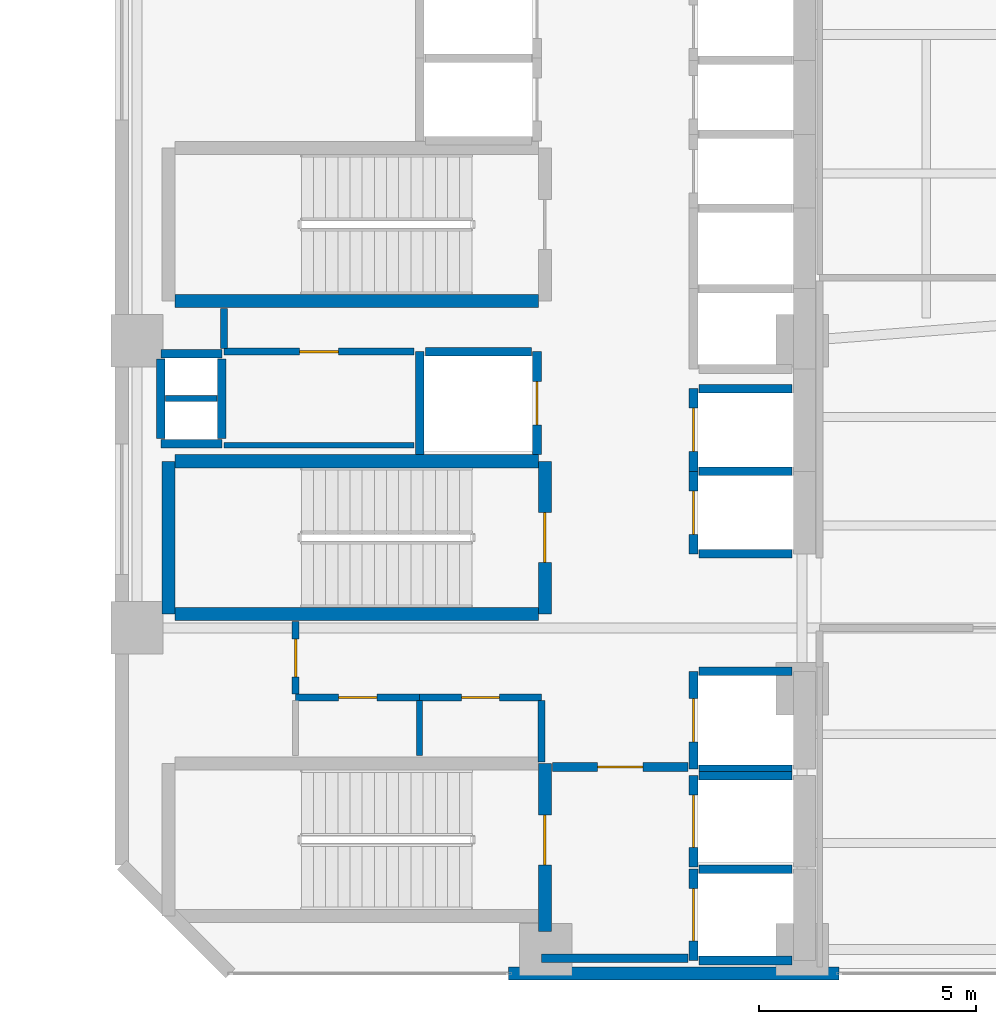
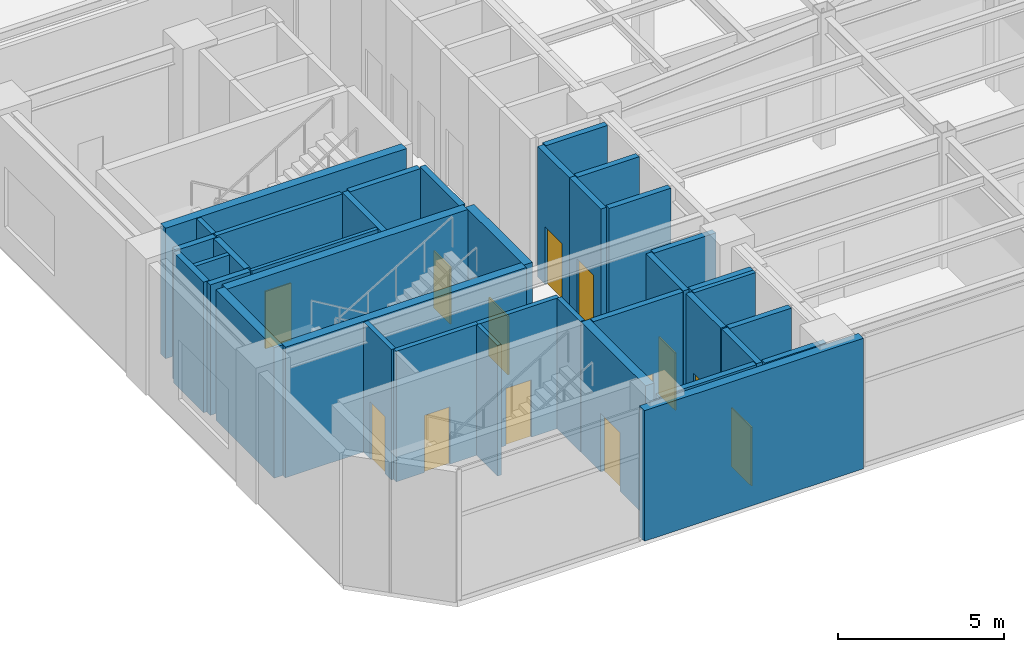
# One storey, part 16 of 23: 38 walls, 13 doors, 13 openings.
"""IFC4 building model written with IfcOpenShell, lengths in metres."""

from ifc_helpers import new_model, si_unit, direction, frame, frame_2d, origin, place, context, subcontext, project, spatial, rectangle, extrude, material, layer, layer_set, type_object, element, fill, save


model = new_model("IFC4")

# Units and contexts
model_context = context("Model", 3, precision=1e-05, world=origin(), true_north=direction((0.0, 1.0)))
body_context = subcontext(model_context, "Body", "Model", "MODEL_VIEW")
ifc_project = project(units=[si_unit("LENGTHUNIT", "METRE"), si_unit("AREAUNIT", "SQUARE_METRE"), si_unit("VOLUMEUNIT", "CUBIC_METRE"), si_unit("PLANEANGLEUNIT", "RADIAN"), si_unit("MASSUNIT", "GRAM", prefix="KILO")], contexts=[model_context])

# Site, building, storey
site_placement = place(None, origin())
site = spatial("IfcSite", under=ifc_project, at=site_placement, CompositionType="ELEMENT")
building_placement = place(site_placement, origin())
building = spatial("IfcBuilding", under=site, at=building_placement, Name="Mawjaban Terraces University", CompositionType="ELEMENT")
storey_placement = place(building_placement, frame((0.0, 0.0, 98.39990234375)))
storey = spatial("IfcBuildingStorey", under=building, at=storey_placement, Name="L23", CompositionType="ELEMENT", Elevation=98.39990234375)

# Wall, opening, door
ifc_material_1 = material(Name="Fire-rated gypsum board on steel stud", Category="steel")
ifc_layer_1 = layer(ifc_material_1, 0.159912109375)
ifc_layer_set_1 = layer_set([ifc_layer_1], Name="Fire-rated gypsum board on steel stud")
wall_type_1 = type_object("IfcWallType", Name="CorridorPartition_160", PredefinedType="PARTITIONING", material=ifc_layer_set_1)
wall_1_placement = place(storey_placement, frame((24.35009765625, 14.300048828125, 0.0), z_axis=(0.0, 0.0, 1.0), x_axis=(1.0, 0.0, 0.0)))
wall_1 = element("IfcWall", 1, at=wall_1_placement, inside=storey, type_object=wall_type_1, Name="L23 Core Riser Access Passage Partition 2", PredefinedType="PARTITIONING", context=body_context, shape_type="SweptSolid", body=[
    extrude(rectangle(XDim=4.369873046875, YDim=0.159912109375, at=frame_2d((2.18505859375, 0.0))), origin(), (0.0, 0.0, 1.0), 4.7900390625),
])
opening_1_placement = place(wall_1_placement, frame((1.735107421875, 0.0, 0.0)))
opening_1 = element("IfcOpeningElement", 2, at=opening_1_placement, cuts=wall_1, Name="Opening ID-090", PredefinedType="OPENING", context=body_context, shape_type="SweptSolid", body=[
    extrude(rectangle(XDim=0.89990234375, YDim=2.10009765625, at=frame_2d((0.449951171875, 1.050048828125))), frame((0.0, 0.08984375, 0.0), z_axis=(0.0, -1.0, 0.0), x_axis=(1.0, 0.0, 0.0)), (0.0, 0.0, 1.0), 0.179931640625),
])
ifc_material_2 = material(Name="Powder-coated steel frame and solid acoustic timber leaf", Category="steel")
door_type_1 = type_object("IfcDoorType", Name="OfficeDoor_900x2100", OperationType="NOTDEFINED", PredefinedType="DOOR", material=ifc_material_2)
door_1_placement = place(opening_1_placement, origin())
door_1 = element("IfcDoor", 3, at=door_1_placement, inside=storey, type_object=door_type_1, Name="L23 Cleaner Store Door", OperationType="SINGLE_SWING_RIGHT", OverallHeight=2.10009765625, OverallWidth=0.89990234375, PredefinedType="DOOR", context=body_context, shape_type="SweptSolid", body=[
    extrude(rectangle(XDim=0.89990234375, YDim=2.10009765625, at=frame_2d((0.449951171875, 1.050048828125))), frame((0.0, 0.02490234375, 0.0), z_axis=(0.0, -1.0, 0.0), x_axis=(1.0, 0.0, 0.0)), (0.0, 0.0, 1.0), 0.050048828125),
])
fill(opening_1, door_1)

wall_2_placement = place(storey_placement, frame((26.0, 6.35009765625, 0.0), z_axis=(0.0, 0.0, 1.0), x_axis=(1.0, 0.0, 0.0)))
wall_2 = element("IfcWall", 4, at=wall_2_placement, inside=storey, type_object=wall_type_1, Name="L23 Core Washroom Lobby Partition 3", PredefinedType="PARTITIONING", context=body_context, shape_type="SweptSolid", body=[
    extrude(rectangle(XDim=2.85009765625, YDim=0.159912109375, at=frame_2d((1.425048828125, 0.0))), origin(), (0.0, 0.0, 1.0), 4.7900390625),
])
opening_2_placement = place(wall_2_placement, frame((0.985107421875, 0.0, 0.0)))
opening_2 = element("IfcOpeningElement", 5, at=opening_2_placement, cuts=wall_2, Name="Opening ID-088", PredefinedType="OPENING", context=body_context, shape_type="SweptSolid", body=[
    extrude(rectangle(XDim=0.8798828125, YDim=2.10009765625, at=frame_2d((0.43994140625, 1.050048828125))), frame((0.0, 0.08984375, 0.0), z_axis=(0.0, -1.0, 0.0), x_axis=(1.0, 0.0, 0.0)), (0.0, 0.0, 1.0), 0.179931640625),
])
door_type_2 = type_object("IfcDoorType", Name="ToiletDoor_880x2100", OperationType="NOTDEFINED", PredefinedType="DOOR", material=ifc_material_2)
door_2_placement = place(opening_2_placement, origin())
door_2 = element("IfcDoor", 6, at=door_2_placement, inside=storey, type_object=door_type_2, Name="L23 Male Toilet Door", OperationType="SINGLE_SWING_RIGHT", OverallHeight=2.10009765625, OverallWidth=0.8798828125, PredefinedType="DOOR", context=body_context, shape_type="SweptSolid", body=[
    extrude(rectangle(XDim=0.8798828125, YDim=2.10009765625, at=frame_2d((0.43994140625, 1.050048828125))), frame((0.0, 0.02490234375, 0.0), z_axis=(0.0, -1.0, 0.0), x_axis=(1.0, 0.0, 0.0)), (0.0, 0.0, 1.0), 0.050048828125),
])
fill(opening_2, door_2)

wall_3_placement = place(storey_placement, frame((28.85009765625, 6.35009765625, 0.0), z_axis=(0.0, 0.0, 1.0), x_axis=(1.0, 0.0, 0.0)))
wall_3 = element("IfcWall", 7, at=wall_3_placement, inside=storey, type_object=wall_type_1, Name="L23 Core Washroom Lobby Partition 6", PredefinedType="PARTITIONING", context=body_context, shape_type="SweptSolid", body=[
    extrude(rectangle(XDim=2.7998046875, YDim=0.159912109375, at=frame_2d((1.39990234375, 0.0))), origin(), (0.0, 0.0, 1.0), 4.7900390625),
])
opening_3_placement = place(wall_3_placement, frame((0.9599609375, 0.0, 0.0)))
opening_3 = element("IfcOpeningElement", 8, at=opening_3_placement, cuts=wall_3, Name="Opening ID-088", PredefinedType="OPENING", context=body_context, shape_type="SweptSolid", body=[
    extrude(rectangle(XDim=0.8798828125, YDim=2.10009765625, at=frame_2d((0.43994140625, 1.050048828125))), frame((0.0, 0.08984375, 0.0), z_axis=(0.0, -1.0, 0.0), x_axis=(1.0, 0.0, 0.0)), (0.0, 0.0, 1.0), 0.179931640625),
])
door_3_placement = place(opening_3_placement, origin())
door_3 = element("IfcDoor", 9, at=door_3_placement, inside=storey, type_object=door_type_2, Name="L23 Accessible Toilet Door", OperationType="SINGLE_SWING_LEFT", OverallHeight=2.10009765625, OverallWidth=0.8798828125, PredefinedType="DOOR", context=body_context, shape_type="SweptSolid", body=[
    extrude(rectangle(XDim=0.8798828125, YDim=2.10009765625, at=frame_2d((0.43994140625, 1.050048828125))), frame((0.0, 0.02490234375, 0.0), z_axis=(0.0, -1.0, 0.0), x_axis=(1.0, 0.0, 0.0)), (0.0, 0.0, 1.0), 0.050048828125),
])
fill(opening_3, door_3)

# Wall
wall_4_placement = place(storey_placement, frame((24.35009765625, 15.2900390625, 0.0), z_axis=(0.0, 0.0, 1.0), x_axis=(0.0, -1.0, 0.0)))
element("IfcWall", 10, at=wall_4_placement, inside=storey, type_object=wall_type_1, Name="L23 Core Riser Access Passage Partition 16", PredefinedType="PARTITIONING", context=body_context, shape_type="SweptSolid", body=[
    extrude(rectangle(XDim=0.9150390625, YDim=0.159912109375, at=frame_2d((0.45751953125, 0.0))), origin(), (0.0, 0.0, 1.0), 4.7900390625),
])

# Wall, opening, door
wall_5_placement = place(storey_placement, frame((26.0, 8.090087890625, 0.0), z_axis=(0.0, 0.0, 1.0), x_axis=(0.0, -1.0, 0.0)))
wall_5 = element("IfcWall", 11, at=wall_5_placement, inside=storey, type_object=wall_type_1, Name="L23 Core Washroom Lobby Partition 18", PredefinedType="PARTITIONING", context=body_context, shape_type="SweptSolid", body=[
    extrude(rectangle(XDim=1.6650390625, YDim=0.159912109375, at=frame_2d((0.83251953125, 0.0))), origin(), (0.0, 0.0, 1.0), 4.7900390625),
])
opening_4_placement = place(wall_5_placement, frame((0.39306640625, 0.0, 0.0)))
opening_4 = element("IfcOpeningElement", 12, at=opening_4_placement, cuts=wall_5, Name="Opening ID-088", PredefinedType="OPENING", context=body_context, shape_type="SweptSolid", body=[
    extrude(rectangle(XDim=0.8798828125, YDim=2.10009765625, at=frame_2d((0.43994140625, 1.050048828125))), frame((0.0, 0.08984375, 0.0), z_axis=(0.0, -1.0, 0.0), x_axis=(1.0, 0.0, 0.0)), (0.0, 0.0, 1.0), 0.179931640625),
])
door_4_placement = place(opening_4_placement, origin())
door_4 = element("IfcDoor", 13, at=door_4_placement, inside=storey, type_object=door_type_2, Name="L23 Ablution Room Door", OperationType="SINGLE_SWING_LEFT", OverallHeight=2.10009765625, OverallWidth=0.8798828125, PredefinedType="DOOR", context=body_context, shape_type="SweptSolid", body=[
    extrude(rectangle(XDim=0.8798828125, YDim=2.10009765625, at=frame_2d((0.43994140625, 1.050048828125))), frame((0.0, 0.02490234375, 0.0), z_axis=(0.0, -1.0, 0.0), x_axis=(1.0, 0.0, 0.0)), (0.0, 0.0, 1.0), 0.050048828125),
])
fill(opening_4, door_4)

# Walls
wall_6_placement = place(storey_placement, frame((31.64990234375, 4.860107421875, 0.0), z_axis=(0.0, 0.0, 1.0), x_axis=(0.0, 1.0, 0.0)))
element("IfcWall", 14, at=wall_6_placement, inside=storey, type_object=wall_type_1, Name="L23 Accessible Toilet Partition 21", PredefinedType="PARTITIONING", context=body_context, shape_type="SweptSolid", body=[
    extrude(rectangle(XDim=1.414794921875, YDim=0.159912109375, at=frame_2d((0.70751953125, 0.0))), origin(), (0.0, 0.0, 1.0), 4.7900390625),
])
ifc_material_3 = material(Name="Insulated terracotta rainscreen on concrete backup C40/50", Category="masonry")
ifc_layer_2 = layer(ifc_material_3, 0.300048828125)
ifc_layer_set_2 = layer_set([ifc_layer_2], Name="Insulated terracotta rainscreen on concrete backup C40/50")
wall_type_2 = type_object("IfcWallType", Name="ExtTerracottaWall_300", PredefinedType="SOLIDWALL", material=ifc_layer_set_2)
wall_7_placement = place(storey_placement, frame((30.89990234375, 0.0, 0.0), z_axis=(0.0, 0.0, 1.0), x_axis=(1.0, 0.0, 0.0)))
element("IfcWall", 15, at=wall_7_placement, inside=storey, type_object=wall_type_2, Name="L23 Exterior Terracotta Pier Wall 1.1", PredefinedType="SOLIDWALL", context=body_context, shape_type="SweptSolid", body=[
    extrude(rectangle(XDim=7.60009765625, YDim=0.300048828125, at=frame_2d((3.800048828125, 0.0))), origin(), (0.0, 0.0, 1.0), 4.7900390625),
])

# Wall, opening, door
ifc_material_4 = material(Name="Concrete C40/50", Category="concrete")
ifc_layer_3 = layer(ifc_material_4, 0.199951171875)
ifc_layer_set_3 = layer_set([ifc_layer_3], Name="Concrete C40/50")
wall_type_3 = type_object("IfcWallType", Name="FireLobbyWall_200", PredefinedType="SOLIDWALL", material=ifc_layer_set_3)
wall_8_placement = place(storey_placement, frame((35.14990234375, 2.39990234375, 0.0), z_axis=(0.0, 0.0, 1.0), x_axis=(0.0, -1.0, 0.0)))
wall_8 = element("IfcWall", 16, at=wall_8_placement, inside=storey, type_object=wall_type_3, Name="L23 Lift FL-1 Hoistway Wall West", PredefinedType="SOLIDWALL", context=body_context, shape_type="SweptSolid", body=[
    extrude(rectangle(XDim=2.099853515625, YDim=0.199951171875, at=frame_2d((1.0498046875, 0.0))), origin(), (0.0, 0.0, 1.0), 4.7900390625),
])
opening_5_placement = place(wall_8_placement, frame((0.449951171875, 0.0, 0.0)))
opening_5 = element("IfcOpeningElement", 17, at=opening_5_placement, cuts=wall_8, Name="Opening LD-FL-1", PredefinedType="OPENING", context=body_context, shape_type="SweptSolid", body=[
    extrude(rectangle(XDim=1.199951171875, YDim=2.14990234375, at=frame_2d((0.60009765625, 1.074951171875))), frame((0.0, 0.10986328125, 0.0), z_axis=(0.0, -1.0, 0.0), x_axis=(1.0, 0.0, 0.0)), (0.0, 0.0, 1.0), 0.219970703125),
])
ifc_material_5 = material(Name="Powder-coated steel frame and fire-rated steel-faced leaf", Category="steel")
door_type_3 = type_object("IfcDoorType", Name="LiftLandingFSAE_1200x2150", OperationType="NOTDEFINED", PredefinedType="DOOR", material=ifc_material_5)
door_5_placement = place(opening_5_placement, origin())
door_5 = element("IfcDoor", 18, at=door_5_placement, inside=storey, type_object=door_type_3, Name="L23 Lift FL-1 Sliding Landing Door", OperationType="DOUBLE_DOOR_SLIDING", OverallHeight=2.14990234375, OverallWidth=1.199951171875, PredefinedType="DOOR", context=body_context, shape_type="SweptSolid", body=[
    extrude(rectangle(XDim=1.199951171875, YDim=2.14990234375, at=frame_2d((0.60009765625, 1.074951171875))), frame((0.0, 0.02490234375, 0.0), z_axis=(0.0, -1.0, 0.0), x_axis=(1.0, 0.0, 0.0)), (0.0, 0.0, 1.0), 0.050048828125),
])
fill(opening_5, door_5)

# Walls
for number, where, z_axis, x_axis, name in (
    (19, (35.280029296875, 0.300048828125, 0.0), (0.0, 0.0, 1.0), (1.0, 0.0, 0.0), "L23 Lift FL-1 Hoistway Wall South"),
    (20, (37.419921875, 2.39990234375, 0.0), (0.0, 0.0, 1.0), (-1.0, 0.0, 0.0), "L23 Lift FL-1 Hoistway Wall North"),
):
    element("IfcWall", number, at=place(storey_placement, frame(where, z_axis=z_axis, x_axis=x_axis)), inside=storey, type_object=wall_type_3, Name=name, PredefinedType="SOLIDWALL", context=body_context, shape_type="SweptSolid", body=[
        extrude(rectangle(XDim=2.139892578125, YDim=0.199951171875, at=frame_2d((1.06982421875, 0.0))), origin(), (0.0, 0.0, 1.0), 4.7900390625),
    ])

# Wall, opening, door
wall_9_placement = place(storey_placement, frame((35.14990234375, 4.550048828125, 0.0), z_axis=(0.0, 0.0, 1.0), x_axis=(0.0, -1.0, 0.0)))
wall_9 = element("IfcWall", 21, at=wall_9_placement, inside=storey, type_object=wall_type_3, Name="L23 Lift FL-2 Hoistway Wall West", PredefinedType="SOLIDWALL", context=body_context, shape_type="SweptSolid", body=[
    extrude(rectangle(XDim=2.10009765625, YDim=0.199951171875, at=frame_2d((1.050048828125, 0.0))), origin(), (0.0, 0.0, 1.0), 4.7900390625),
])
opening_6_placement = place(wall_9_placement, frame((0.449951171875, 0.0, 0.0)))
opening_6 = element("IfcOpeningElement", 22, at=opening_6_placement, cuts=wall_9, Name="Opening LD-FL-2", PredefinedType="OPENING", context=body_context, shape_type="SweptSolid", body=[
    extrude(rectangle(XDim=1.199951171875, YDim=2.14990234375, at=frame_2d((0.60009765625, 1.074951171875))), frame((0.0, 0.10986328125, 0.0), z_axis=(0.0, -1.0, 0.0), x_axis=(1.0, 0.0, 0.0)), (0.0, 0.0, 1.0), 0.219970703125),
])
door_6_placement = place(opening_6_placement, origin())
door_6 = element("IfcDoor", 23, at=door_6_placement, inside=storey, type_object=door_type_3, Name="L23 Lift FL-2 Sliding Landing Door", OperationType="DOUBLE_DOOR_SLIDING", OverallHeight=2.14990234375, OverallWidth=1.199951171875, PredefinedType="DOOR", context=body_context, shape_type="SweptSolid", body=[
    extrude(rectangle(XDim=1.199951171875, YDim=2.14990234375, at=frame_2d((0.60009765625, 1.074951171875))), frame((0.0, 0.02490234375, 0.0), z_axis=(0.0, -1.0, 0.0), x_axis=(1.0, 0.0, 0.0)), (0.0, 0.0, 1.0), 0.050048828125),
])
fill(opening_6, door_6)

# Wall
wall_10_placement = place(storey_placement, frame((37.419921875, 4.550048828125, 0.0), z_axis=(0.0, 0.0, 1.0), x_axis=(-1.0, 0.0, 0.0)))
element("IfcWall", 24, at=wall_10_placement, inside=storey, type_object=wall_type_3, Name="L23 Lift FL-2 Hoistway Wall North", PredefinedType="SOLIDWALL", context=body_context, shape_type="SweptSolid", body=[
    extrude(rectangle(XDim=2.139892578125, YDim=0.199951171875, at=frame_2d((1.06982421875, 0.0))), origin(), (0.0, 0.0, 1.0), 4.7900390625),
])

# Wall, opening, door
wall_11_placement = place(storey_placement, frame((35.14990234375, 6.949951171875, 0.0), z_axis=(0.0, 0.0, 1.0), x_axis=(0.0, -1.0, 0.0)))
wall_11 = element("IfcWall", 25, at=wall_11_placement, inside=storey, type_object=wall_type_3, Name="L23 Lift SL-1 Hoistway Wall West", PredefinedType="SOLIDWALL", context=body_context, shape_type="SweptSolid", body=[
    extrude(rectangle(XDim=2.25, YDim=0.199951171875, at=frame_2d((1.125, 0.0))), origin(), (0.0, 0.0, 1.0), 4.7900390625),
])
opening_7_placement = place(wall_11_placement, frame((0.625, 0.0, 0.0)))
opening_7 = element("IfcOpeningElement", 26, at=opening_7_placement, cuts=wall_11, Name="Opening LD-SL-1", PredefinedType="OPENING", context=body_context, shape_type="SweptSolid", body=[
    extrude(rectangle(XDim=1.0, YDim=2.10009765625, at=frame_2d((0.5, 1.050048828125))), frame((0.0, 0.10986328125, 0.0), z_axis=(0.0, -1.0, 0.0), x_axis=(1.0, 0.0, 0.0)), (0.0, 0.0, 1.0), 0.219970703125),
])
door_type_4 = type_object("IfcDoorType", Name="LiftLandingSliding_1000x2100", OperationType="NOTDEFINED", PredefinedType="DOOR", material=ifc_material_5)
door_7_placement = place(opening_7_placement, origin())
door_7 = element("IfcDoor", 27, at=door_7_placement, inside=storey, type_object=door_type_4, Name="L23 Lift SL-1 Sliding Landing Door", OperationType="DOUBLE_DOOR_SLIDING", OverallHeight=2.10009765625, OverallWidth=1.0, PredefinedType="DOOR", context=body_context, shape_type="SweptSolid", body=[
    extrude(rectangle(XDim=1.0, YDim=2.10009765625, at=frame_2d((0.5, 1.050048828125))), frame((0.0, 0.02490234375, 0.0), z_axis=(0.0, -1.0, 0.0), x_axis=(1.0, 0.0, 0.0)), (0.0, 0.0, 1.0), 0.050048828125),
])
fill(opening_7, door_7)

# Walls
for number, where, z_axis, x_axis, name in (
    (28, (35.280029296875, 4.699951171875, 0.0), (0.0, 0.0, 1.0), (1.0, 0.0, 0.0), "L23 Lift SL-1 Hoistway Wall South"),
    (29, (37.419921875, 6.949951171875, 0.0), (0.0, 0.0, 1.0), (-1.0, 0.0, 0.0), "L23 Lift SL-1 Hoistway Wall North"),
):
    element("IfcWall", number, at=place(storey_placement, frame(where, z_axis=z_axis, x_axis=x_axis)), inside=storey, type_object=wall_type_3, Name=name, PredefinedType="SOLIDWALL", context=body_context, shape_type="SweptSolid", body=[
        extrude(rectangle(XDim=2.139892578125, YDim=0.199951171875, at=frame_2d((1.06982421875, 0.0))), origin(), (0.0, 0.0, 1.0), 4.7900390625),
    ])

# Wall, opening, door
wall_12_placement = place(storey_placement, frame((35.14990234375, 11.550048828125, 0.0), z_axis=(0.0, 0.0, 1.0), x_axis=(0.0, -1.0, 0.0)))
wall_12 = element("IfcWall", 30, at=wall_12_placement, inside=storey, type_object=wall_type_3, Name="L23 Lift PL-H1 Hoistway Wall West", PredefinedType="SOLIDWALL", context=body_context, shape_type="SweptSolid", body=[
    extrude(rectangle(XDim=1.900146484375, YDim=0.199951171875, at=frame_2d((0.9501953125, 0.0))), origin(), (0.0, 0.0, 1.0), 4.7900390625),
])
opening_8_placement = place(wall_12_placement, frame((0.449951171875, 0.0, 0.0)))
opening_8 = element("IfcOpeningElement", 31, at=opening_8_placement, cuts=wall_12, Name="Opening LD-PL-H1", PredefinedType="OPENING", context=body_context, shape_type="SweptSolid", body=[
    extrude(rectangle(XDim=1.0, YDim=2.10009765625, at=frame_2d((0.5, 1.050048828125))), frame((0.0, 0.10986328125, 0.0), z_axis=(0.0, -1.0, 0.0), x_axis=(1.0, 0.0, 0.0)), (0.0, 0.0, 1.0), 0.219970703125),
])
door_8_placement = place(opening_8_placement, origin())
door_8 = element("IfcDoor", 32, at=door_8_placement, inside=storey, type_object=door_type_4, Name="L23 Lift PL-H1 Sliding Landing Door", OperationType="DOUBLE_DOOR_SLIDING", OverallHeight=2.10009765625, OverallWidth=1.0, PredefinedType="DOOR", context=body_context, shape_type="SweptSolid", body=[
    extrude(rectangle(XDim=1.0, YDim=2.10009765625, at=frame_2d((0.5, 1.050048828125))), frame((0.0, 0.02490234375, 0.0), z_axis=(0.0, -1.0, 0.0), x_axis=(1.0, 0.0, 0.0)), (0.0, 0.0, 1.0), 0.050048828125),
])
fill(opening_8, door_8)

# Walls
for number, where, z_axis, x_axis, name in (
    (33, (35.280029296875, 9.64990234375, 0.0), (0.0, 0.0, 1.0), (1.0, 0.0, 0.0), "L23 Lift PL-H1 Hoistway Wall South"),
    (34, (37.419921875, 11.550048828125, 0.0), (0.0, 0.0, 1.0), (-1.0, 0.0, 0.0), "L23 Lift PL-H1 Hoistway Wall North"),
):
    element("IfcWall", number, at=place(storey_placement, frame(where, z_axis=z_axis, x_axis=x_axis)), inside=storey, type_object=wall_type_3, Name=name, PredefinedType="SOLIDWALL", context=body_context, shape_type="SweptSolid", body=[
        extrude(rectangle(XDim=2.139892578125, YDim=0.199951171875, at=frame_2d((1.06982421875, 0.0))), origin(), (0.0, 0.0, 1.0), 4.7900390625),
    ])

# Wall, opening, door
wall_13_placement = place(storey_placement, frame((35.14990234375, 13.449951171875, 0.0), z_axis=(0.0, 0.0, 1.0), x_axis=(0.0, -1.0, 0.0)))
wall_13 = element("IfcWall", 35, at=wall_13_placement, inside=storey, type_object=wall_type_3, Name="L23 Lift PL-H2 Hoistway Wall West", PredefinedType="SOLIDWALL", context=body_context, shape_type="SweptSolid", body=[
    extrude(rectangle(XDim=1.89990234375, YDim=0.199951171875, at=frame_2d((0.949951171875, 0.0))), origin(), (0.0, 0.0, 1.0), 4.7900390625),
])
opening_9_placement = place(wall_13_placement, frame((0.449951171875, 0.0, 0.0)))
opening_9 = element("IfcOpeningElement", 36, at=opening_9_placement, cuts=wall_13, Name="Opening LD-PL-H2", PredefinedType="OPENING", context=body_context, shape_type="SweptSolid", body=[
    extrude(rectangle(XDim=1.0, YDim=2.10009765625, at=frame_2d((0.5, 1.050048828125))), frame((0.0, 0.10986328125, 0.0), z_axis=(0.0, -1.0, 0.0), x_axis=(1.0, 0.0, 0.0)), (0.0, 0.0, 1.0), 0.219970703125),
])
door_9_placement = place(opening_9_placement, origin())
door_9 = element("IfcDoor", 37, at=door_9_placement, inside=storey, type_object=door_type_4, Name="L23 Lift PL-H2 Sliding Landing Door", OperationType="DOUBLE_DOOR_SLIDING", OverallHeight=2.10009765625, OverallWidth=1.0, PredefinedType="DOOR", context=body_context, shape_type="SweptSolid", body=[
    extrude(rectangle(XDim=1.0, YDim=2.10009765625, at=frame_2d((0.5, 1.050048828125))), frame((0.0, 0.02490234375, 0.0), z_axis=(0.0, -1.0, 0.0), x_axis=(1.0, 0.0, 0.0)), (0.0, 0.0, 1.0), 0.050048828125),
])
fill(opening_9, door_9)

# Walls
wall_14_placement = place(storey_placement, frame((37.419921875, 13.449951171875, 0.0), z_axis=(0.0, 0.0, 1.0), x_axis=(-1.0, 0.0, 0.0)))
element("IfcWall", 38, at=wall_14_placement, inside=storey, type_object=wall_type_3, Name="L23 Lift PL-H2 Hoistway Wall North", PredefinedType="SOLIDWALL", context=body_context, shape_type="SweptSolid", body=[
    extrude(rectangle(XDim=2.139892578125, YDim=0.199951171875, at=frame_2d((1.06982421875, 0.0))), origin(), (0.0, 0.0, 1.0), 4.7900390625),
])
wall_15_placement = place(storey_placement, frame((28.85009765625, 14.300048828125, 0.0), z_axis=(0.0, 0.0, 1.0), x_axis=(0.0, -1.0, 0.0)))
element("IfcWall", 39, at=wall_15_placement, inside=storey, type_object=wall_type_3, Name="L23 Lift PL-H3 Hoistway Wall West", PredefinedType="SOLIDWALL", context=body_context, shape_type="SweptSolid", body=[
    extrude(rectangle(XDim=2.3701171875, YDim=0.199951171875, at=frame_2d((1.18505859375, 0.0))), origin(), (0.0, 0.0, 1.0), 4.7900390625),
])

# Wall, opening, door
wall_16_placement = place(storey_placement, frame((31.550048828125, 11.929931640625, 0.0), z_axis=(0.0, 0.0, 1.0), x_axis=(0.0, 1.0, 0.0)))
wall_16 = element("IfcWall", 40, at=wall_16_placement, inside=storey, type_object=wall_type_3, Name="L23 Lift PL-H3 Hoistway Wall East", PredefinedType="SOLIDWALL", context=body_context, shape_type="SweptSolid", body=[
    extrude(rectangle(XDim=2.3701171875, YDim=0.199951171875, at=frame_2d((1.18505859375, 0.0))), origin(), (0.0, 0.0, 1.0), 4.7900390625),
])
opening_10_placement = place(wall_16_placement, frame((0.68505859375, 0.0, 0.0)))
opening_10 = element("IfcOpeningElement", 41, at=opening_10_placement, cuts=wall_16, Name="Opening LD-PL-H3", PredefinedType="OPENING", context=body_context, shape_type="SweptSolid", body=[
    extrude(rectangle(XDim=1.0, YDim=2.10009765625, at=frame_2d((0.5, 1.050048828125))), frame((0.0, 0.10986328125, 0.0), z_axis=(0.0, -1.0, 0.0), x_axis=(1.0, 0.0, 0.0)), (0.0, 0.0, 1.0), 0.219970703125),
])
door_10_placement = place(opening_10_placement, origin())
door_10 = element("IfcDoor", 42, at=door_10_placement, inside=storey, type_object=door_type_4, Name="L23 Lift PL-H3 Sliding Landing Door", OperationType="DOUBLE_DOOR_SLIDING", OverallHeight=2.10009765625, OverallWidth=1.0, PredefinedType="DOOR", context=body_context, shape_type="SweptSolid", body=[
    extrude(rectangle(XDim=1.0, YDim=2.10009765625, at=frame_2d((0.5, 1.050048828125))), frame((0.0, 0.02490234375, 0.0), z_axis=(0.0, -1.0, 0.0), x_axis=(1.0, 0.0, 0.0)), (0.0, 0.0, 1.0), 0.050048828125),
])
fill(opening_10, door_10)

# Walls
wall_17_placement = place(storey_placement, frame((31.419921875, 14.300048828125, 0.0), z_axis=(0.0, 0.0, 1.0), x_axis=(-1.0, 0.0, 0.0)))
element("IfcWall", 43, at=wall_17_placement, inside=storey, type_object=wall_type_3, Name="L23 Lift PL-H3 Hoistway Wall North", PredefinedType="SOLIDWALL", context=body_context, shape_type="SweptSolid", body=[
    extrude(rectangle(XDim=2.43994140625, YDim=0.199951171875, at=frame_2d((1.219970703125, 0.0))), origin(), (0.0, 0.0, 1.0), 4.7900390625),
])
for number, where, z_axis, x_axis, name in (
    (44, (22.89990234375, 14.25, 0.0), (0.0, 0.0, 1.0), (1.0, 0.0, 0.0), "L23 MEP Riser Shaft Wall N"),
    (45, (22.89990234375, 12.179931640625, 0.0), (0.0, 0.0, 1.0), (1.0, 0.0, 0.0), "L23 MEP Riser Shaft Wall S"),
):
    element("IfcWall", number, at=place(storey_placement, frame(where, z_axis=z_axis, x_axis=x_axis)), inside=storey, type_object=wall_type_3, Name=name, PredefinedType="SOLIDWALL", context=body_context, shape_type="SweptSolid", body=[
        extrude(rectangle(XDim=1.400146484375, YDim=0.199951171875, at=frame_2d((0.7001953125, 0.0))), origin(), (0.0, 0.0, 1.0), 4.7900390625),
    ])
for number, where, z_axis, x_axis, name in (
    (46, (24.300048828125, 12.300048828125, 0.0), (0.0, 0.0, 1.0), (0.0, 1.0, 0.0), "L23 MEP Riser Shaft Wall E"),
    (47, (22.89990234375, 12.300048828125, 0.0), (0.0, 0.0, 1.0), (0.0, 1.0, 0.0), "L23 MEP Riser Shaft Wall W"),
):
    element("IfcWall", number, at=place(storey_placement, frame(where, z_axis=z_axis, x_axis=x_axis)), inside=storey, type_object=wall_type_3, Name=name, PredefinedType="SOLIDWALL", context=body_context, shape_type="SweptSolid", body=[
        extrude(rectangle(XDim=1.829833984375, YDim=0.199951171875, at=frame_2d((0.9150390625, 0.0))), origin(), (0.0, 0.0, 1.0), 4.7900390625),
    ])
wall_18_placement = place(storey_placement, frame((31.64990234375, 0.35009765625, 0.0), z_axis=(0.0, 0.0, 1.0), x_axis=(1.0, 0.0, 0.0)))
element("IfcWall", 48, at=wall_18_placement, inside=storey, type_object=wall_type_3, Name="L23 Firefighting Lift Lobby Partition 7", PredefinedType="SOLIDWALL", context=body_context, shape_type="SweptSolid", body=[
    extrude(rectangle(XDim=3.3701171875, YDim=0.199951171875, at=frame_2d((1.68505859375, 0.0))), origin(), (0.0, 0.0, 1.0), 4.7900390625),
])

# Wall, opening, door
wall_19_placement = place(storey_placement, frame((35.02001953125, 4.75, 0.0), z_axis=(0.0, 0.0, 1.0), x_axis=(-1.0, 0.0, 0.0)))
wall_19 = element("IfcWall", 49, at=wall_19_placement, inside=storey, type_object=wall_type_3, Name="L23 Firefighting Lift Lobby Partition 10", PredefinedType="SOLIDWALL", context=body_context, shape_type="SweptSolid", body=[
    extrude(rectangle(XDim=3.110107421875, YDim=0.199951171875, at=frame_2d((1.55517578125, 0.0))), origin(), (0.0, 0.0, 1.0), 4.7900390625),
])
opening_11_placement = place(wall_19_placement, frame((1.030029296875, 0.0, 0.0)))
opening_11 = element("IfcOpeningElement", 50, at=opening_11_placement, cuts=wall_19, Name="Opening FD-105", PredefinedType="OPENING", context=body_context, shape_type="SweptSolid", body=[
    extrude(rectangle(XDim=1.050048828125, YDim=2.14990234375, at=frame_2d((0.52490234375, 1.074951171875))), frame((0.0, 0.10986328125, 0.0), z_axis=(0.0, -1.0, 0.0), x_axis=(1.0, 0.0, 0.0)), (0.0, 0.0, 1.0), 0.219970703125),
])
door_type_5 = type_object("IfcDoorType", Name="FireLobbyDoor_1050x2150", OperationType="NOTDEFINED", PredefinedType="DOOR", material=ifc_material_5)
door_11_placement = place(opening_11_placement, origin())
door_11 = element("IfcDoor", 51, at=door_11_placement, inside=storey, type_object=door_type_5, Name="L23 Firefighting Lift Lobby Door", OperationType="SINGLE_SWING_RIGHT", OverallHeight=2.14990234375, OverallWidth=1.050048828125, PredefinedType="DOOR", context=body_context, shape_type="SweptSolid", body=[
    extrude(rectangle(XDim=1.050048828125, YDim=2.14990234375, at=frame_2d((0.52490234375, 1.074951171875))), frame((0.0, 0.02490234375, 0.0), z_axis=(0.0, -1.0, 0.0), x_axis=(1.0, 0.0, 0.0)), (0.0, 0.0, 1.0), 0.050048828125),
])
fill(opening_11, door_11)

# Walls
ifc_material_6 = material(Name="Moisture-resistant gypsum board on steel stud", Category="steel")
ifc_layer_4 = layer(ifc_material_6, 0.14501953125)
ifc_layer_set_4 = layer_set([ifc_layer_4], Name="Moisture-resistant gypsum board on steel stud")
wall_type_4 = type_object("IfcWallType", Name="LabPartition_145", PredefinedType="PARTITIONING", material=ifc_layer_set_4)
wall_20_placement = place(storey_placement, frame((23.010009765625, 13.22509765625, 0.0), z_axis=(0.0, 0.0, 1.0), x_axis=(1.0, 0.0, 0.0)))
element("IfcWall", 52, at=wall_20_placement, inside=storey, type_object=wall_type_4, Name="L23 MEP Riser Shaft Wall M", PredefinedType="PARTITIONING", context=body_context, shape_type="SweptSolid", body=[
    extrude(rectangle(XDim=1.179931640625, YDim=0.14501953125, at=frame_2d((0.58984375, 0.0))), origin(), (0.0, 0.0, 1.0), 4.7900390625),
])
ifc_material_7 = material(Name="Gypsum plasterboard on steel stud", Category="steel")
ifc_layer_5 = layer(ifc_material_7, 0.125)
ifc_layer_set_5 = layer_set([ifc_layer_5], Name="Gypsum plasterboard on steel stud")
wall_type_5 = type_object("IfcWallType", Name="OfficePartition_125", PredefinedType="PARTITIONING", material=ifc_layer_set_5)
wall_21_placement = place(storey_placement, frame((24.35009765625, 12.14990234375, 0.0), z_axis=(0.0, 0.0, 1.0), x_axis=(1.0, 0.0, 0.0)))
element("IfcWall", 53, at=wall_21_placement, inside=storey, type_object=wall_type_5, Name="L23 Cleaner Store Partition 1", PredefinedType="PARTITIONING", context=body_context, shape_type="SweptSolid", body=[
    extrude(rectangle(XDim=4.369873046875, YDim=0.125, at=frame_2d((2.18505859375, 0.0))), origin(), (0.0, 0.0, 1.0), 4.7900390625),
])

# Wall, opening, door
ifc_material_8 = material(Name="Concrete C60/75", Category="concrete")
ifc_layer_6 = layer(ifc_material_8, 0.300048828125)
ifc_layer_set_6 = layer_set([ifc_layer_6], Name="Concrete C60/75")
wall_type_6 = type_object("IfcWallType", Name="StairShaftWall_300", PredefinedType="SHEAR", material=ifc_layer_set_6)
wall_22_placement = place(storey_placement, frame((31.72998046875, 0.9599609375, 0.0), z_axis=(0.0, 0.0, 1.0), x_axis=(0.0, 1.0, 0.0)))
wall_22 = element("IfcWall", 54, at=wall_22_placement, inside=storey, type_object=wall_type_6, Name="L23 ST-1 Stair Shaft Wall 4", PredefinedType="SHEAR", context=body_context, shape_type="SweptSolid", body=[
    extrude(rectangle(XDim=3.8701171875, YDim=0.300048828125, at=frame_2d((1.93505859375, 0.0))), origin(), (0.0, 0.0, 1.0), 4.7900390625),
])
opening_12_placement = place(wall_22_placement, frame((1.5400390625, 0.0, 0.0)))
opening_12 = element("IfcOpeningElement", 55, at=opening_12_placement, cuts=wall_22, Name="Opening FD-115", PredefinedType="OPENING", context=body_context, shape_type="SweptSolid", body=[
    extrude(rectangle(XDim=1.14990234375, YDim=2.14990234375, at=frame_2d((0.574951171875, 1.074951171875))), frame((0.0, 0.159912109375, 0.0), z_axis=(0.0, -1.0, 0.0), x_axis=(1.0, 0.0, 0.0)), (0.0, 0.0, 1.0), 0.320068359375),
])
door_type_6 = type_object("IfcDoorType", Name="FireStairDoor_1150x2150", OperationType="NOTDEFINED", PredefinedType="DOOR", material=ifc_material_5)
door_12_placement = place(opening_12_placement, origin())
door_12 = element("IfcDoor", 56, at=door_12_placement, inside=storey, type_object=door_type_6, Name="L23 ST-1 Pressurised Stair Fire Door", OperationType="SINGLE_SWING_LEFT", OverallHeight=2.14990234375, OverallWidth=1.14990234375, PredefinedType="DOOR", context=body_context, shape_type="SweptSolid", body=[
    extrude(rectangle(XDim=1.14990234375, YDim=2.14990234375, at=frame_2d((0.574951171875, 1.074951171875))), frame((0.0, 0.02490234375, 0.0), z_axis=(0.0, -1.0, 0.0), x_axis=(1.0, 0.0, 0.0)), (0.0, 0.0, 1.0), 0.050048828125),
])
fill(opening_12, door_12)

# Walls
for number, where, z_axis, x_axis, name in (
    (57, (23.219970703125, 15.469970703125, 0.0), (0.0, 0.0, 1.0), (1.0, 0.0, 0.0), "L23 ST-2 Stair Shaft Wall 3"),
    (58, (31.580078125, 11.780029296875, 0.0), (0.0, 0.0, 1.0), (-1.0, 0.0, 0.0), "L23 ST-3 Stair Shaft Wall 1"),
):
    element("IfcWall", number, at=place(storey_placement, frame(where, z_axis=z_axis, x_axis=x_axis)), inside=storey, type_object=wall_type_6, Name=name, PredefinedType="SHEAR", context=body_context, shape_type="SweptSolid", body=[
        extrude(rectangle(XDim=8.360107421875, YDim=0.300048828125, at=frame_2d((4.18017578125, 0.0))), origin(), (0.0, 0.0, 1.0), 4.7900390625),
    ])
wall_23_placement = place(storey_placement, frame((23.070068359375, 11.780029296875, 0.0), z_axis=(0.0, 0.0, 1.0), x_axis=(0.0, -1.0, 0.0)))
element("IfcWall", 59, at=wall_23_placement, inside=storey, type_object=wall_type_6, Name="L23 ST-3 Stair Shaft Wall 2", PredefinedType="SHEAR", context=body_context, shape_type="SweptSolid", body=[
    extrude(rectangle(XDim=3.510009765625, YDim=0.300048828125, at=frame_2d((1.7548828125, 0.0))), origin(), (0.0, 0.0, 1.0), 4.7900390625),
])
wall_24_placement = place(storey_placement, frame((23.219970703125, 8.27001953125, 0.0), z_axis=(0.0, 0.0, 1.0), x_axis=(1.0, 0.0, 0.0)))
element("IfcWall", 60, at=wall_24_placement, inside=storey, type_object=wall_type_6, Name="L23 ST-3 Stair Shaft Wall 3", PredefinedType="SHEAR", context=body_context, shape_type="SweptSolid", body=[
    extrude(rectangle(XDim=8.360107421875, YDim=0.300048828125, at=frame_2d((4.18017578125, 0.0))), origin(), (0.0, 0.0, 1.0), 4.7900390625),
])

# Wall, opening, door
wall_25_placement = place(storey_placement, frame((31.72998046875, 8.27001953125, 0.0), z_axis=(0.0, 0.0, 1.0), x_axis=(0.0, 1.0, 0.0)))
wall_25 = element("IfcWall", 61, at=wall_25_placement, inside=storey, type_object=wall_type_6, Name="L23 ST-3 Stair Shaft Wall 4", PredefinedType="SHEAR", context=body_context, shape_type="SweptSolid", body=[
    extrude(rectangle(XDim=3.510009765625, YDim=0.300048828125, at=frame_2d((1.7548828125, 0.0))), origin(), (0.0, 0.0, 1.0), 4.7900390625),
])
opening_13_placement = place(wall_25_placement, frame((1.179931640625, 0.0, 0.0)))
opening_13 = element("IfcOpeningElement", 62, at=opening_13_placement, cuts=wall_25, Name="Opening FD-115", PredefinedType="OPENING", context=body_context, shape_type="SweptSolid", body=[
    extrude(rectangle(XDim=1.14990234375, YDim=2.14990234375, at=frame_2d((0.574951171875, 1.074951171875))), frame((0.0, 0.159912109375, 0.0), z_axis=(0.0, -1.0, 0.0), x_axis=(1.0, 0.0, 0.0)), (0.0, 0.0, 1.0), 0.320068359375),
])
door_13_placement = place(opening_13_placement, origin())
door_13 = element("IfcDoor", 63, at=door_13_placement, inside=storey, type_object=door_type_6, Name="L23 ST-3 Pressurised Stair Fire Door", OperationType="SINGLE_SWING_LEFT", OverallHeight=2.14990234375, OverallWidth=1.14990234375, PredefinedType="DOOR", context=body_context, shape_type="SweptSolid", body=[
    extrude(rectangle(XDim=1.14990234375, YDim=2.14990234375, at=frame_2d((0.574951171875, 1.074951171875))), frame((0.0, 0.02490234375, 0.0), z_axis=(0.0, -1.0, 0.0), x_axis=(1.0, 0.0, 0.0)), (0.0, 0.0, 1.0), 0.050048828125),
])
fill(opening_13, door_13)

# Wall
ifc_material_9 = material(Name="Cement-board wet-room partition", Category="masonry")
ifc_layer_7 = layer(ifc_material_9, 0.135009765625)
ifc_layer_set_7 = layer_set([ifc_layer_7], Name="Cement-board wet-room partition")
wall_type_7 = type_object("IfcWallType", Name="WetRoomPartition_135", PredefinedType="PARTITIONING", material=ifc_layer_set_7)
wall_26_placement = place(storey_placement, frame((28.85009765625, 5.010009765625, 0.0), z_axis=(0.0, 0.0, 1.0), x_axis=(0.0, 1.0, 0.0)))
element("IfcWall", 64, at=wall_26_placement, inside=storey, type_object=wall_type_7, Name="L23 Male Toilet Partition 20", PredefinedType="PARTITIONING", context=body_context, shape_type="SweptSolid", body=[
    extrude(rectangle(XDim=1.264892578125, YDim=0.135009765625, at=frame_2d((0.63232421875, 0.0))), origin(), (0.0, 0.0, 1.0), 4.7900390625),
])

save(model, "model.ifc")
